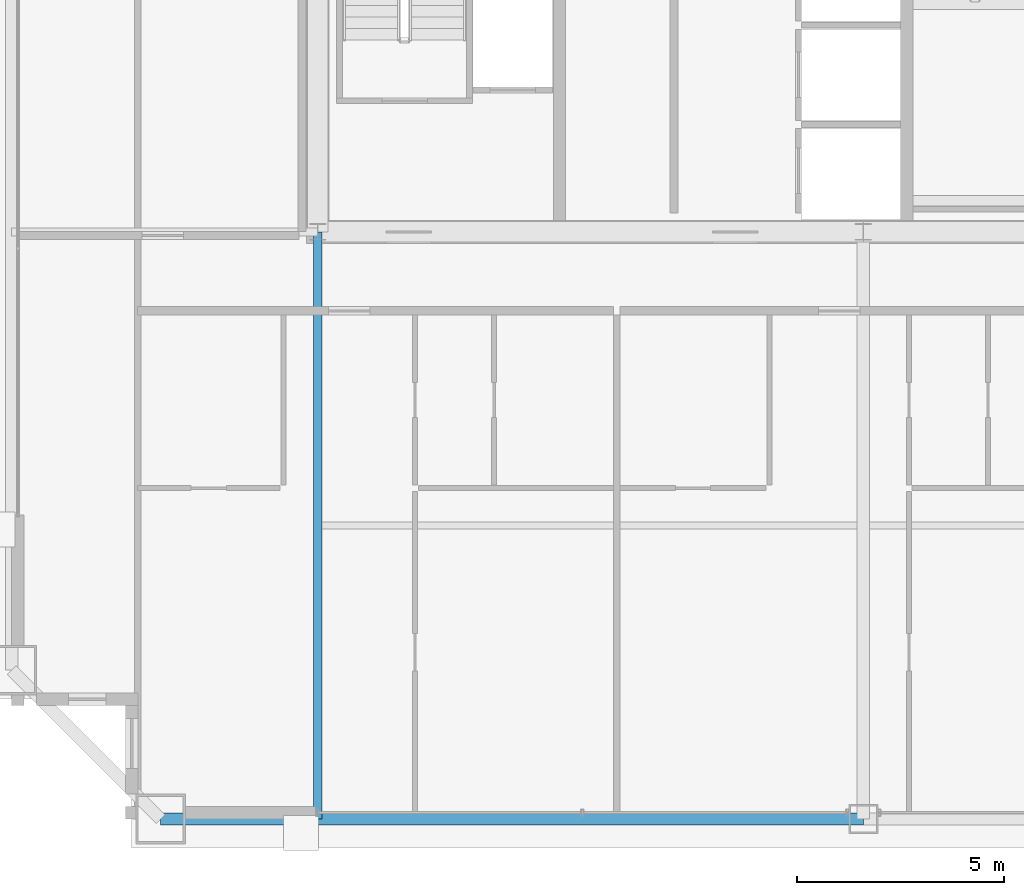
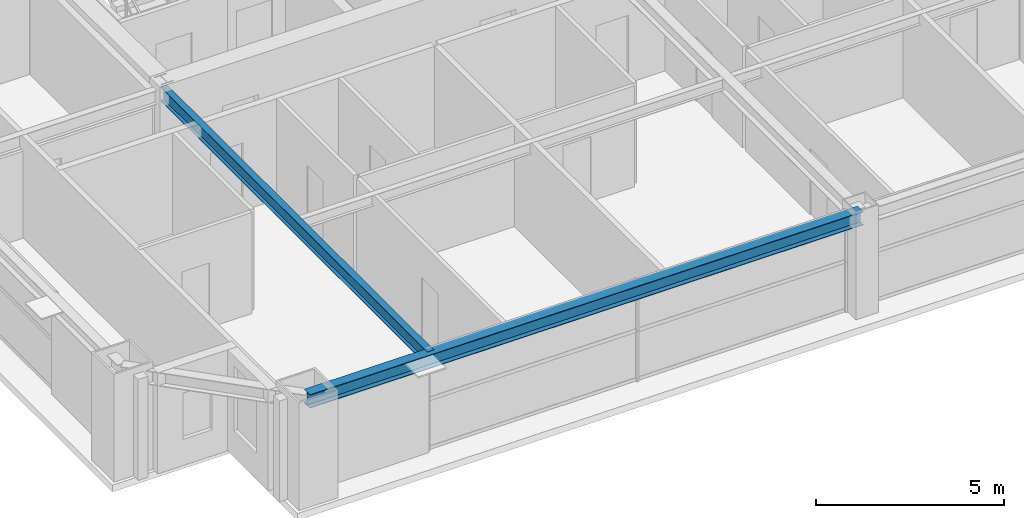
# One storey, part 4 of 37: 2 beams.
"""IFC4 building model written with IfcOpenShell, lengths in metres."""

from ifc_helpers import new_model, si_unit, direction, frame, origin, origin_2d, place, context, subcontext, project, spatial, i_section, extrude, source, transform, mapped, material, material_profile, profile_set, type_object, element, save


model = new_model("IFC4")

# Units and contexts
model_context = context("Model", 3, precision=1e-05, world=origin(), true_north=direction((0.0, 1.0)))
body_context = subcontext(model_context, "Body", "Model", "MODEL_VIEW")
ifc_project = project(units=[si_unit("LENGTHUNIT", "METRE"), si_unit("AREAUNIT", "SQUARE_METRE"), si_unit("VOLUMEUNIT", "CUBIC_METRE"), si_unit("PLANEANGLEUNIT", "RADIAN"), si_unit("MASSUNIT", "GRAM", prefix="KILO"), si_unit("THERMODYNAMICTEMPERATUREUNIT", "KELVIN"), si_unit("POWERUNIT", "WATT")], contexts=[model_context])

# Site, building, storey
site_placement = place(None, origin())
site = spatial("IfcSite", under=ifc_project, at=site_placement, CompositionType="ELEMENT")
building_placement = place(site_placement, origin())
building = spatial("IfcBuilding", under=site, at=building_placement, Name="Yuzanri Waterfront Tower", CompositionType="ELEMENT")
storey_placement = place(building_placement, frame((0.0, 0.0, 245.10009765625)))
storey = spatial("IfcBuildingStorey", under=building, at=storey_placement, Name="L65", CompositionType="ELEMENT", Elevation=245.10009765625)

# Beams
ifc_material_1 = material(Name="Steel Q355B", Category="steel")
ifc_material_profile_1 = material_profile(ifc_material_1, i_section(OverallWidth=0.300048828125, OverallDepth=0.43994140625, WebThickness=0.010986328125, FlangeThickness=0.01806640625, at=origin_2d()), Name="HM 440x300x11x18")
ifc_profile_set_1 = profile_set([ifc_material_profile_1], Name="Steel Q355B")
beam_type_1 = type_object("IfcBeamType", Name="Perimeter Spandrel Q355B HM 440x300", PredefinedType="SPANDREL", material=ifc_profile_set_1)
shared_shape_1 = source(origin(), body_context, "Body", "SweptSolid", [
    extrude(i_section(OverallWidth=0.300048828125, OverallDepth=0.43994140625, WebThickness=0.010986328125, FlangeThickness=0.01806640625, at=origin_2d()), origin(), (0.0, 0.0, 1.0), 17.0),
])
beam_1_placement = place(storey_placement, frame((20.0, 5.199951171875, 3.059814453125), z_axis=(1.0, 0.0, 0.0), x_axis=(0.0, 1.0, 0.0)))
element("IfcBeam", 1, at=beam_1_placement, inside=storey, type_object=beam_type_1, Name="L65 Perimeter Spandrel S1-S2", PredefinedType="SPANDREL", context=body_context, shape_type="MappedRepresentation", body=[
    mapped(shared_shape_1, transform((0.0, 0.0, 0.0), scale=1.0)),
])
ifc_material_2 = material(Name="Steel Q355B", Category="steel")
ifc_material_profile_2 = material_profile(ifc_material_2, i_section(OverallWidth=0.199951171875, OverallDepth=0.449951171875, WebThickness=0.009033203125, FlangeThickness=0.013916015625, at=origin_2d()), Name="HN 450x200x9x14")
ifc_profile_set_2 = profile_set([ifc_material_profile_2], Name="Steel Q355B")
beam_type_2 = type_object("IfcBeamType", Name="Secondary Floor Beam Q355B HN 450x200", PredefinedType="BEAM", material=ifc_profile_set_2)
shared_shape_2 = source(origin(), body_context, "Body", "SweptSolid", [
    extrude(i_section(OverallWidth=0.199951171875, OverallDepth=0.449951171875, WebThickness=0.009033203125, FlangeThickness=0.013916015625, at=origin_2d()), origin(), (0.0, 0.0, 1.0), 14.199951171875),
])
beam_2_placement = place(storey_placement, frame((23.800048828125, 19.39990234375, 3.054931640625), z_axis=(0.0, -1.0, 0.0), x_axis=(1.0, 0.0, 0.0)))
element("IfcBeam", 2, at=beam_2_placement, inside=storey, type_object=beam_type_2, Name="L65 South-West Core Line Beam", PredefinedType="BEAM", context=body_context, shape_type="MappedRepresentation", body=[
    mapped(shared_shape_2, transform((0.0, 0.0, 0.0), scale=1.0)),
])

save(model, "model.ifc")
